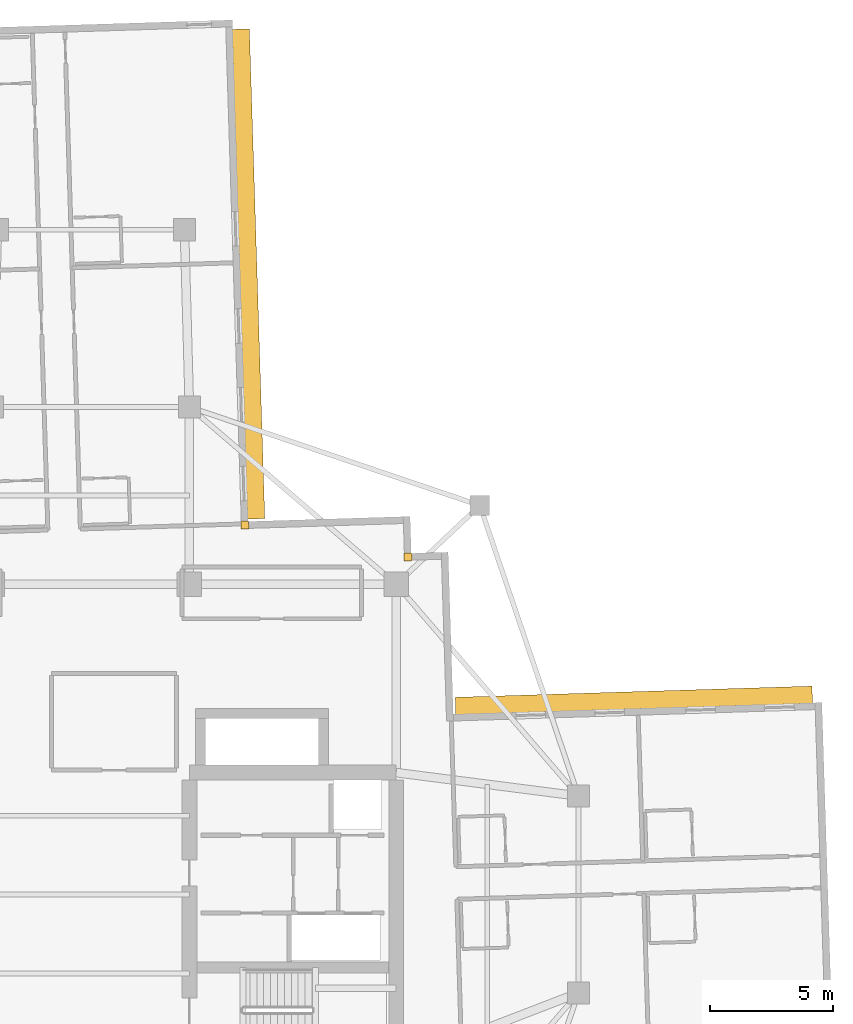
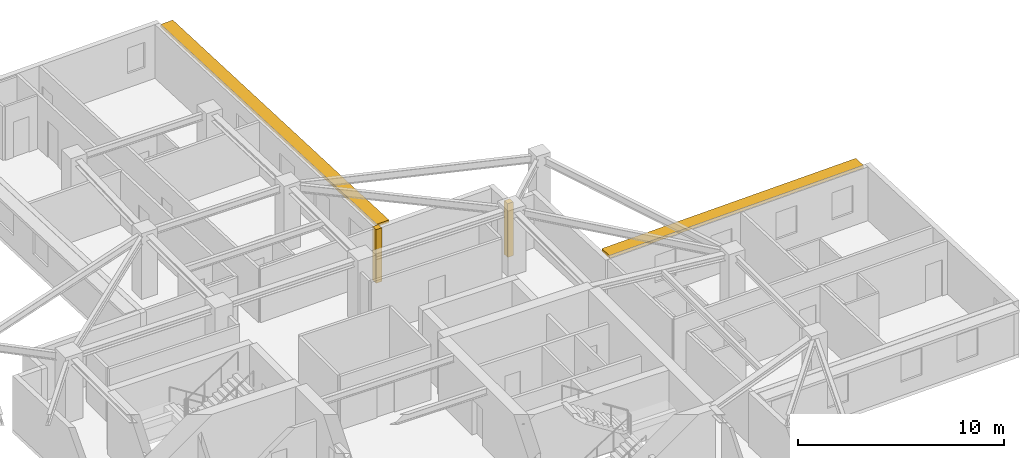
# One storey, part 12 of 12: 2 coverings, 2 shading devices.
"""IFC4 building model written with IfcOpenShell, lengths in metres."""

from ifc_helpers import new_model, si_unit, direction, frame, origin, origin_2d, place, context, subcontext, project, spatial, rectangle, extrude, material, layer, layer_set, type_object, element, save


model = new_model("IFC4")

# Units and contexts
model_context = context("Model", 3, precision=1e-05, world=origin(), true_north=direction((0.0, 1.0)))
body_context = subcontext(model_context, "Body", "Model", "MODEL_VIEW")
ifc_project = project(units=[si_unit("LENGTHUNIT", "METRE"), si_unit("AREAUNIT", "SQUARE_METRE"), si_unit("VOLUMEUNIT", "CUBIC_METRE"), si_unit("PLANEANGLEUNIT", "RADIAN"), si_unit("MASSUNIT", "GRAM", prefix="KILO")], contexts=[model_context])

# Site, building, storey
site_placement = place(None, origin())
site = spatial("IfcSite", under=ifc_project, at=site_placement, CompositionType="ELEMENT")
building_placement = place(site_placement, origin())
building = spatial("IfcBuilding", under=site, at=building_placement, Name="Qingluan Cross Belvedere", CompositionType="ELEMENT")
storey_placement = place(building_placement, frame((0.0, 0.0, 216.89990234375)))
storey = spatial("IfcBuildingStorey", under=building, at=storey_placement, Name="L54", CompositionType="ELEMENT", Elevation=216.89990234375)

# Coverings
ifc_material_1 = material(Name="Precast concrete C45", Category="concrete")
ifc_layer_1 = layer(ifc_material_1, 0.1201171875, Name="ConcreteSpandrelCladding_120")
ifc_layer_set_1 = layer_set([ifc_layer_1], Name="Precast concrete C45")
covering_type = type_object("IfcCoveringType", Name="ConcreteSpandrelCladding_120", PredefinedType="CLADDING", material=ifc_layer_set_1)
for number, where, z_axis, x_axis, name in (
    (1, (12.875732421875, 13.711181640625, 0.0), (0.0, 0.0, 1.0), (0.999506560366, 0.031410759078, 0.0), "Corner closure L54-NE1"),
    (2, (6.251708984375, 15.00390625, 0.0), (0.0, 0.0, 1.0), (0.999506560366, 0.031410759078, 0.0), "Corner closure L54-NE2"),
):
    element("IfcCovering", number, at=place(storey_placement, frame(where, z_axis=z_axis, x_axis=x_axis)), inside=storey, type_object=covering_type, Name=name, PredefinedType="CLADDING", context=body_context, shape_type="SweptSolid", body=[
        extrude(rectangle(XDim=0.320068359375, YDim=0.320068359375, at=origin_2d()), origin(), (0.0, 0.0, 1.0), 3.179931640625),
    ])

# Shading devices
ifc_material_2 = material(Name="Precast concrete C45", Category="concrete")
ifc_layer_2 = layer(ifc_material_2, 0.139892578125, Name="ConcreteSunshadeBand_700")
ifc_layer_set_2 = layer_set([ifc_layer_2], Name="Precast concrete C45")
shading_device_type = type_object("IfcShadingDeviceType", Name="ConcreteSunshadeBand_700", PredefinedType="USERDEFINED", material=ifc_layer_set_2)
shading_device_1_placement = place(storey_placement, frame((22.052978515625, 7.88671875, 3.0), z_axis=(0.0, 0.0, 1.0), x_axis=(-0.999506645453, -0.031408051437, 0.0)))
element("IfcShadingDevice", 3, at=shading_device_1_placement, inside=storey, type_object=shading_device_type, Name="Concrete SUNSHADE L54-EB", ObjectType="SUNSHADE", PredefinedType="USERDEFINED", context=body_context, shape_type="SweptSolid", body=[
    extrude(rectangle(XDim=14.5, YDim=0.699951171875, at=origin_2d()), origin(), (0.0, 0.0, 1.0), 0.159912109375),
])
shading_device_2_placement = place(storey_placement, frame((6.401611328125, 25.20361328125, 3.0), z_axis=(0.0, 0.0, 1.0), x_axis=(-0.031407934627, 0.999506649124, 0.0)))
element("IfcShadingDevice", 4, at=shading_device_2_placement, inside=storey, type_object=shading_device_type, Name="Concrete SUNSHADE L54-NA", ObjectType="SUNSHADE", PredefinedType="USERDEFINED", context=body_context, shape_type="SweptSolid", body=[
    extrude(rectangle(XDim=19.89990234375, YDim=0.699951171875, at=origin_2d()), origin(), (0.0, 0.0, 1.0), 0.159912109375),
])

save(model, "model.ifc")
